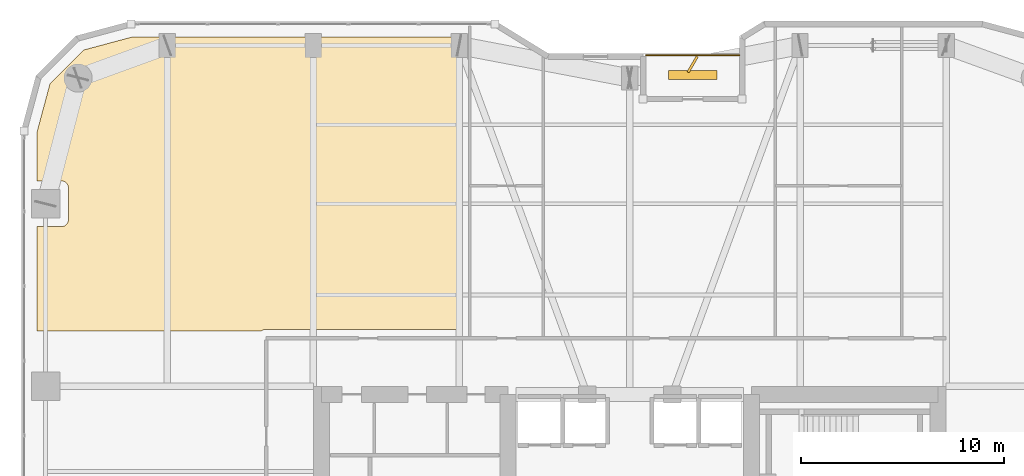
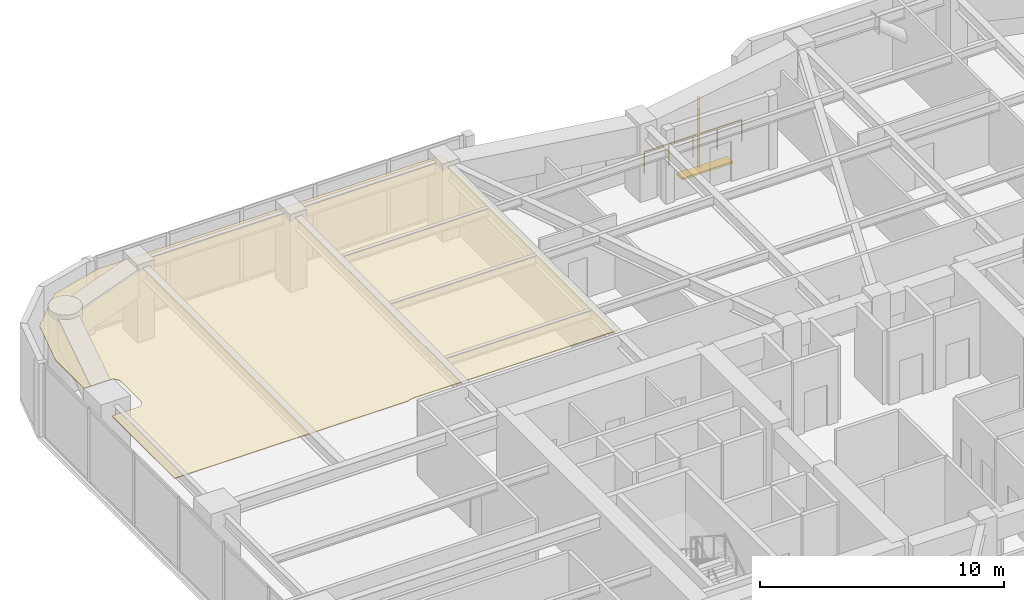
# One storey, part 31 of 31: 2 shading devices, 1 covering, 1 railing.
"""IFC4 building model written with IfcOpenShell, lengths in metres."""

from ifc_helpers import new_model, si_unit, direction, frame, origin, origin_2d, place, context, subcontext, project, spatial, polyline, rectangle, outline, extrude, material, layer, layer_set, type_object, element, save


model = new_model("IFC4")

# Units and contexts
model_context = context("Model", 3, precision=1e-05, world=origin(), true_north=direction((0.0, 1.0)))
body_context = subcontext(model_context, "Body", "Model", "MODEL_VIEW")
ifc_project = project(units=[si_unit("LENGTHUNIT", "METRE"), si_unit("AREAUNIT", "SQUARE_METRE"), si_unit("VOLUMEUNIT", "CUBIC_METRE"), si_unit("PLANEANGLEUNIT", "RADIAN"), si_unit("MASSUNIT", "GRAM", prefix="KILO")], contexts=[model_context])

# Site, building, storey
site_placement = place(None, origin())
site = spatial("IfcSite", under=ifc_project, at=site_placement, CompositionType="ELEMENT")
building_placement = place(site_placement, origin())
building = spatial("IfcBuilding", under=site, at=building_placement, Name="Kiyonajd Concourse Tower", CompositionType="ELEMENT")
storey_placement = place(building_placement, frame((0.0, 0.0, 158.39990234375)))
storey = spatial("IfcBuildingStorey", under=building, at=storey_placement, Name="L40", CompositionType="ELEMENT", Elevation=158.39990234375)

# Covering
ifc_material_1 = material(Name="Natural Oak Acoustic Timber Veneer", Category="wood")
ifc_layer = layer(ifc_material_1, 0.0400390625)
ifc_layer_set = layer_set([ifc_layer], Name="Natural Oak Acoustic Timber Veneer")
covering_type = type_object("IfcCoveringType", Name="CV-CLG-ACST", PredefinedType="CEILING", material=ifc_layer_set)
covering_placement = place(storey_placement, frame((0.0, 0.0, 3.5)))
element("IfcCovering", 1, at=covering_placement, inside=storey, type_object=covering_type, Name="L40-44 Room Acoustic Ceiling", PredefinedType="CEILING", context=body_context, shape_type="SweptSolid", body=[
    extrude(outline(polyline([(21.097900390625, 60.986083984375), (23.5009765625, 61.6298828125), (39.760009765625, 61.6298828125), (39.760009765625, 47.2099609375), (30.074951171875, 47.2099609375), (29.945068359375, 47.18994140625), (29.882080078125, 47.1640625), (29.826904296875, 47.1298828125), (18.77001953125, 47.1298828125), (18.77001953125, 52.27001953125), (19.97998046875, 52.27001953125), (20.048095703125, 52.277099609375), (20.14501953125, 52.31103515625), (20.201904296875, 52.34912109375), (20.2509765625, 52.39794921875), (20.2890625, 52.455078125), (20.31494140625, 52.51806640625), (20.330078125, 52.6201171875), (20.330078125, 54.179931640625), (20.31494140625, 54.281982421875), (20.2890625, 54.344970703125), (20.2509765625, 54.402099609375), (20.201904296875, 54.450927734375), (20.14501953125, 54.489013671875), (20.08203125, 54.514892578125), (20.013916015625, 54.528076171875), (18.77001953125, 54.530029296875), (18.77001953125, 56.89892578125), (19.4140625, 59.302001953125), (21.097900390625, 60.986083984375)])), origin(), (0.0, 0.0, 1.0), 0.0400390625),
])

# Railing
ifc_material_2 = material(Name="Thermally Broken Anodised Aluminium", Category="aluminium")
railing_type = type_object("IfcRailingType", Name="RL-GRD-LOG", PredefinedType="GUARDRAIL", material=ifc_material_2)
railing_placement = place(storey_placement, frame((53.39990234375, 60.719970703125, 0.0)))
element("IfcRailing", 2, at=railing_placement, inside=storey, type_object=railing_type, Name="L40 Engawa Loggia Perimeter Guard LOG-N", PredefinedType="GUARDRAIL", context=body_context, shape_type="SweptSolid", body=[
    extrude(rectangle(XDim=0.048095703125, YDim=0.048095703125, at=origin_2d()), frame((0.0, 0.0, 1.076171875), z_axis=(-1.0, 0.0, 0.0), x_axis=(0.0, -1.0, 0.0)), (0.0, 0.0, 1.0), 4.599853515625),
    extrude(rectangle(XDim=0.0419921875, YDim=0.0419921875, at=origin_2d()), origin(), (0.0, 0.0, 1.0), 1.052001953125),
    extrude(rectangle(XDim=0.0419921875, YDim=0.0419921875, at=origin_2d()), frame((-1.14990234375, 0.0, 0.0)), (0.0, 0.0, 1.0), 1.052001953125),
    extrude(rectangle(XDim=0.0419921875, YDim=0.0419921875, at=origin_2d()), frame((-2.2998046875, 0.0, 0.0)), (0.0, 0.0, 1.0), 1.052001953125),
    extrude(rectangle(XDim=0.0419921875, YDim=0.0419921875, at=origin_2d()), frame((-3.449951171875, 0.0, 0.0)), (0.0, 0.0, 1.0), 1.052001953125),
    extrude(rectangle(XDim=0.0419921875, YDim=0.0419921875, at=origin_2d()), frame((-4.599853515625, 0.0, 0.0)), (0.0, 0.0, 1.0), 1.052001953125),
])

# Shading devices
ifc_material_3 = material(Name="Precast concrete C50/60", Category="concrete")
shading_device_type_1 = type_object("IfcShadingDeviceType", Name="SH-FIN-900", PredefinedType="USERDEFINED", material=ifc_material_3)
shading_device_1_placement = place(storey_placement, frame((51.10009765625, 60.27001953125, 0.0), z_axis=(0.0, 0.0, 1.0), x_axis=(0.5, 0.866025403784, 0.0)))
element("IfcShadingDevice", 3, at=shading_device_1_placement, inside=storey, type_object=shading_device_type_1, Name="L40 Angled Koshi Solar Fin LOG-N", ObjectType="FIN", PredefinedType="USERDEFINED", context=body_context, shape_type="SweptSolid", body=[
    extrude(rectangle(XDim=0.89990234375, YDim=0.1201171875, at=origin_2d()), origin(), (0.0, 0.0, 1.0), 3.0),
])
shading_device_type_2 = type_object("IfcShadingDeviceType", Name="SH-LVR-600", PredefinedType="JALOUSIE", material=ifc_material_2)
shading_device_2_placement = place(storey_placement, frame((51.10009765625, 59.75, 0.0), z_axis=(0.0, 0.0, 1.0), x_axis=(1.0, 0.0, 0.0)))
element("IfcShadingDevice", 4, at=shading_device_2_placement, inside=storey, type_object=shading_device_type_2, Name="L40 Loggia Threshold Louver LOG-N", PredefinedType="JALOUSIE", context=body_context, shape_type="SweptSolid", body=[
    extrude(rectangle(XDim=2.39990234375, YDim=0.449951171875, at=origin_2d()), origin(), (0.0, 0.0, 1.0), 0.10009765625),
])

save(model, "model.ifc")
